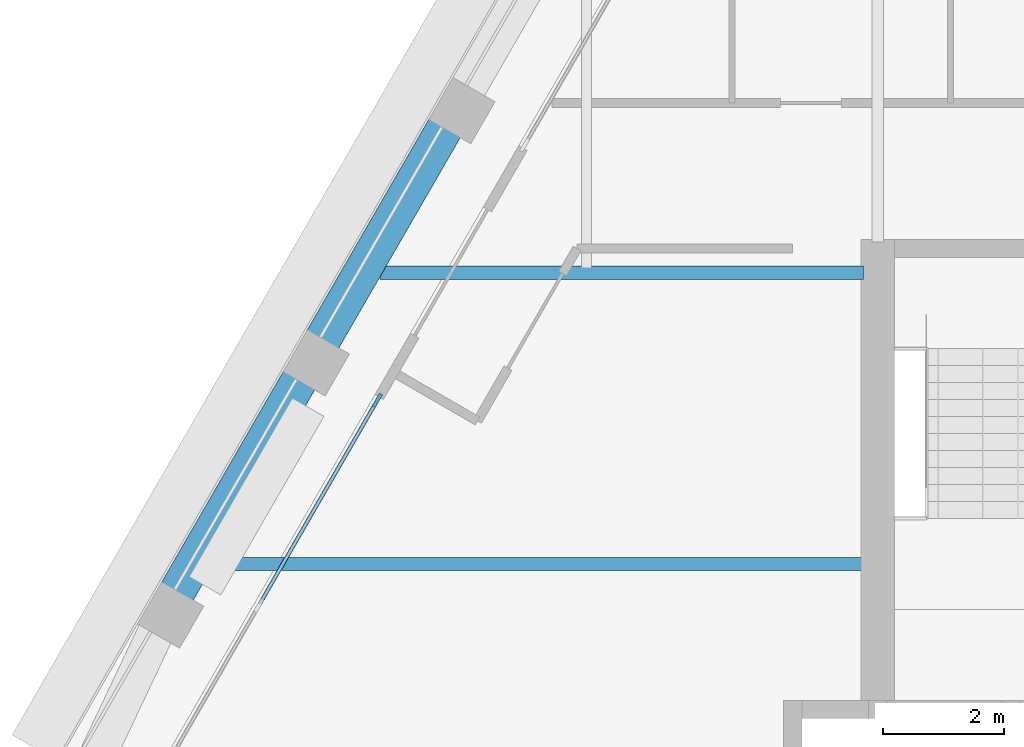
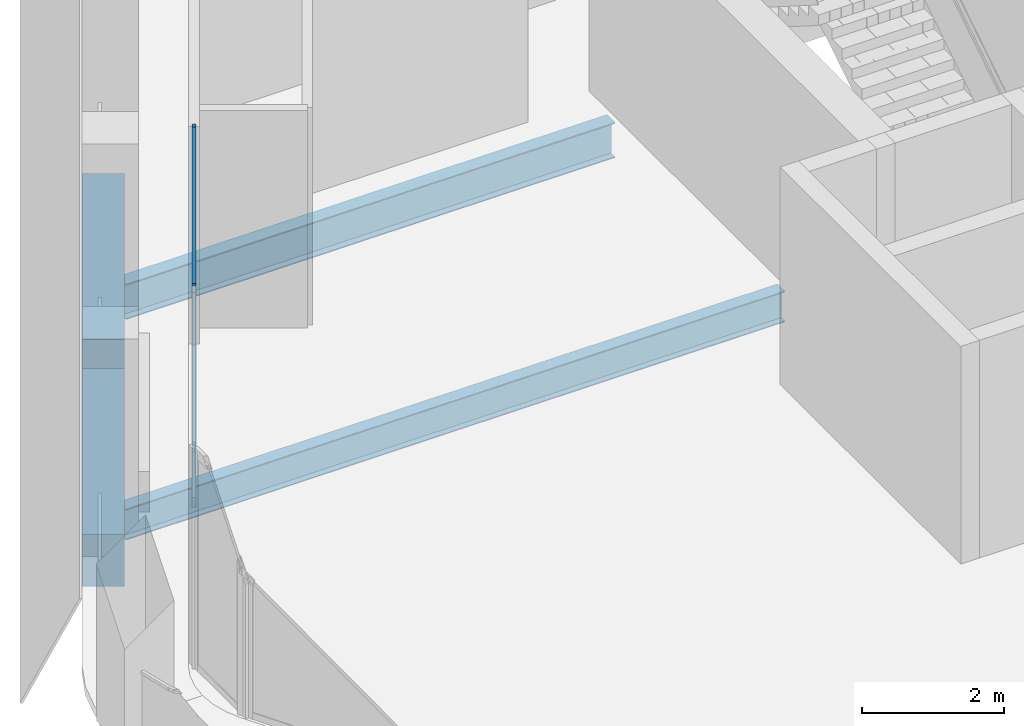
# One storey, part 3 of 13: 4 beams, 3 members, 1 element without a shape of its own.
"""IFC4 building model written with IfcOpenShell, lengths in metres."""

from ifc_helpers import new_model, si_unit, direction, frame, origin, origin_2d, place, context, subcontext, project, spatial, rectangle, i_section, extrude, material, material_profile, profile_set, type_object, element, aggregate, save


model = new_model("IFC4")

# Units and contexts
model_context = context("Model", 3, precision=1e-05, world=origin(), true_north=direction((0.0, 1.0)))
body_context = subcontext(model_context, "Body", "Model", "MODEL_VIEW")
ifc_project = project(units=[si_unit("LENGTHUNIT", "METRE"), si_unit("AREAUNIT", "SQUARE_METRE"), si_unit("VOLUMEUNIT", "CUBIC_METRE"), si_unit("PLANEANGLEUNIT", "RADIAN"), si_unit("MASSUNIT", "GRAM", prefix="KILO")], contexts=[model_context])

# Site, building, storey
site_placement = place(None, origin())
site = spatial("IfcSite", under=ifc_project, at=site_placement, CompositionType="ELEMENT")
building_placement = place(site_placement, origin())
building = spatial("IfcBuilding", under=site, at=building_placement, Name="Kolab Exchange Tower", CompositionType="ELEMENT")
storey_placement = place(building_placement, frame((0.0, 0.0, 226.699951171875)))
storey = spatial("IfcBuildingStorey", under=building, at=storey_placement, Name="L49", CompositionType="ELEMENT", Elevation=226.699951171875)

# Beams
ifc_material_1 = material(Name="Steel S355", Category="steel")
ifc_material_profile_1 = material_profile(ifc_material_1, i_section(OverallWidth=0.208984375, OverallDepth=0.532958984375, WebThickness=0.01025390625, FlangeThickness=0.015625, at=origin_2d()), Name="W530X92")
ifc_profile_set_1 = profile_set([ifc_material_profile_1], Name="Steel S355")
beam_type_1 = type_object("IfcBeamType", Name="FLOOR BEAM W530X92", PredefinedType="BEAM", material=ifc_profile_set_1)
beam_1_placement = place(storey_placement, frame((-20.575927734375, 4.800048828125, -0.41650390625), z_axis=(1.0, 0.0, 0.0), x_axis=(0.0, 1.0, 0.0)))
element("IfcBeam", 1, at=beam_1_placement, inside=storey, type_object=beam_type_1, Name="beam/L49/fr/002", PredefinedType="BEAM", context=body_context, shape_type="SweptSolid", body=[
    extrude(i_section(OverallWidth=0.208984375, OverallDepth=0.532958984375, WebThickness=0.01025390625, FlangeThickness=0.015625, at=origin_2d()), origin(), (0.0, 0.0, 1.0), 10.740966796875),
])
ifc_material_profile_2 = material_profile(ifc_material_1, i_section(OverallWidth=0.22802734375, OverallDepth=0.60791015625, WebThickness=0.01123046875, FlangeThickness=0.017333984375, at=origin_2d()), Name="W610X113")
ifc_profile_set_2 = profile_set([ifc_material_profile_2], Name="Steel S355")
beam_type_2 = type_object("IfcBeamType", Name="FLOOR GIRDER W610X113", PredefinedType="BEAM", material=ifc_profile_set_2)
beam_2_placement = place(storey_placement, frame((-17.8046875, 9.60009765625, -0.453857421875), z_axis=(1.0, 0.0, 0.0), x_axis=(0.0, 1.0, 0.0)))
element("IfcBeam", 2, at=beam_2_placement, inside=storey, type_object=beam_type_2, Name="beam/L49/gd/001", PredefinedType="BEAM", context=body_context, shape_type="SweptSolid", body=[
    extrude(i_section(OverallWidth=0.22802734375, OverallDepth=0.60791015625, WebThickness=0.01123046875, FlangeThickness=0.017333984375, at=origin_2d()), origin(), (0.0, 0.0, 1.0), 7.9697265625),
])
ifc_material_2 = material(Name="Concrete C50/60", Category="concrete")
ifc_material_profile_3 = material_profile(ifc_material_2, rectangle(XDim=0.60009765625, YDim=0.89990234375, at=origin_2d()), Name="RC600X900")
ifc_profile_set_3 = profile_set([ifc_material_profile_3], Name="Concrete C50/60")
beam_type_3 = type_object("IfcBeamType", Name="SPANDREL BEAM 600X900 C50/60", PredefinedType="BEAM", material=ifc_profile_set_3)
for number, where, z_axis, x_axis, name in (
    (3, (-21.16015625, 4.318603515625, -0.599853515625), (0.500000428765, 0.866025156237, 0.0), (-0.866025156237, 0.500000428765, 0.0), "beam/L49/sp/F6-02"),
    (4, (-18.76025390625, 8.4755859375, -0.599853515625), (0.500000428765, 0.866025156237, 0.0), (-0.866025156237, 0.500000428765, 0.0), "beam/L49/sp/F6-03"),
):
    element("IfcBeam", number, at=place(storey_placement, frame(where, z_axis=z_axis, x_axis=x_axis)), inside=storey, type_object=beam_type_3, Name=name, PredefinedType="BEAM", context=body_context, shape_type="SweptSolid", body=[
        extrude(rectangle(XDim=0.60009765625, YDim=0.89990234375, at=origin_2d()), origin(), (0.0, 0.0, 1.0), 4.080078125),
    ])

# Curtain wall, members
ifc_material_3 = material(Name="Aluminium EN AW-6063 T6", Category="aluminium")
curtain_wall_type = type_object("IfcCurtainWallType", Name="UNITISED HIGH ZONE CURTAIN WALL", PredefinedType="NOTDEFINED", material=ifc_material_3)
curtain_wall_placement = place(storey_placement, origin())
curtain_wall = element("IfcCurtainWall", 5, at=curtain_wall_placement, inside=storey, type_object=curtain_wall_type, Name="cw/L49/F6-1", PredefinedType="NOTDEFINED")
ifc_material_profile_4 = material_profile(ifc_material_3, rectangle(XDim=0.06005859375, YDim=0.239990234375, at=origin_2d()), Name="RECT 60X240")
ifc_profile_set_4 = profile_set([ifc_material_profile_4], Name="Aluminium EN AW-6063 T6")
member_type_1 = type_object("IfcMemberType", Name="UNITISED HIGH ZONE MULLION 60 X 240", PredefinedType="MULLION", material=ifc_profile_set_4)
member_1_placement = place(storey_placement, frame((-17.8466796875, 7.497802734375, 0.0), z_axis=(0.0, 0.0, 1.0), x_axis=(-0.866025440524, 0.499999936366, 0.0)))
member_1 = element("IfcMember", 6, at=member_1_placement, type_object=member_type_1, Name="CW4 mullion 3", PredefinedType="MULLION", context=body_context, shape_type="SweptSolid", body=[
    extrude(rectangle(XDim=0.06005859375, YDim=0.239990234375, at=origin_2d()), origin(), (0.0, 0.0, 1.0), 3.75),
])
ifc_material_profile_5 = material_profile(ifc_material_3, rectangle(XDim=0.06005859375, YDim=0.159912109375, at=origin_2d()), Name="RECT 60X160")
ifc_profile_set_5 = profile_set([ifc_material_profile_5], Name="Aluminium EN AW-6063 T6")
member_type_2 = type_object("IfcMemberType", Name="UNITISED HIGH ZONE TRANSOM 60 X 160", PredefinedType="USERDEFINED", material=ifc_profile_set_5)
member_2_placement = place(storey_placement, frame((-19.78369140625, 4.142822265625, 0.030029296875), z_axis=(0.500011990396, 0.866018481016, 0.0), x_axis=(-0.866018481016, 0.500011990396, 0.0)))
member_2 = element("IfcMember", 7, at=member_2_placement, type_object=member_type_2, Name="CW4 transom 2.1", ObjectType="TRANSOM", PredefinedType="USERDEFINED", context=body_context, shape_type="SweptSolid", body=[
    extrude(rectangle(XDim=0.06005859375, YDim=0.159912109375, at=origin_2d()), origin(), (0.0, 0.0, 1.0), 3.84423828125),
])
member_3_placement = place(storey_placement, frame((-19.78369140625, 4.142822265625, 3.719970703125), z_axis=(0.500011990396, 0.866018481016, 0.0), x_axis=(-0.866018481016, 0.500011990396, 0.0)))
member_3 = element("IfcMember", 8, at=member_3_placement, type_object=member_type_2, Name="CW4 transom 2.2", ObjectType="TRANSOM", PredefinedType="USERDEFINED", context=body_context, shape_type="SweptSolid", body=[
    extrude(rectangle(XDim=0.06005859375, YDim=0.159912109375, at=origin_2d()), origin(), (0.0, 0.0, 1.0), 3.84423828125),
])
aggregate(curtain_wall, [member_1, member_2, member_3])

save(model, "model.ifc")
